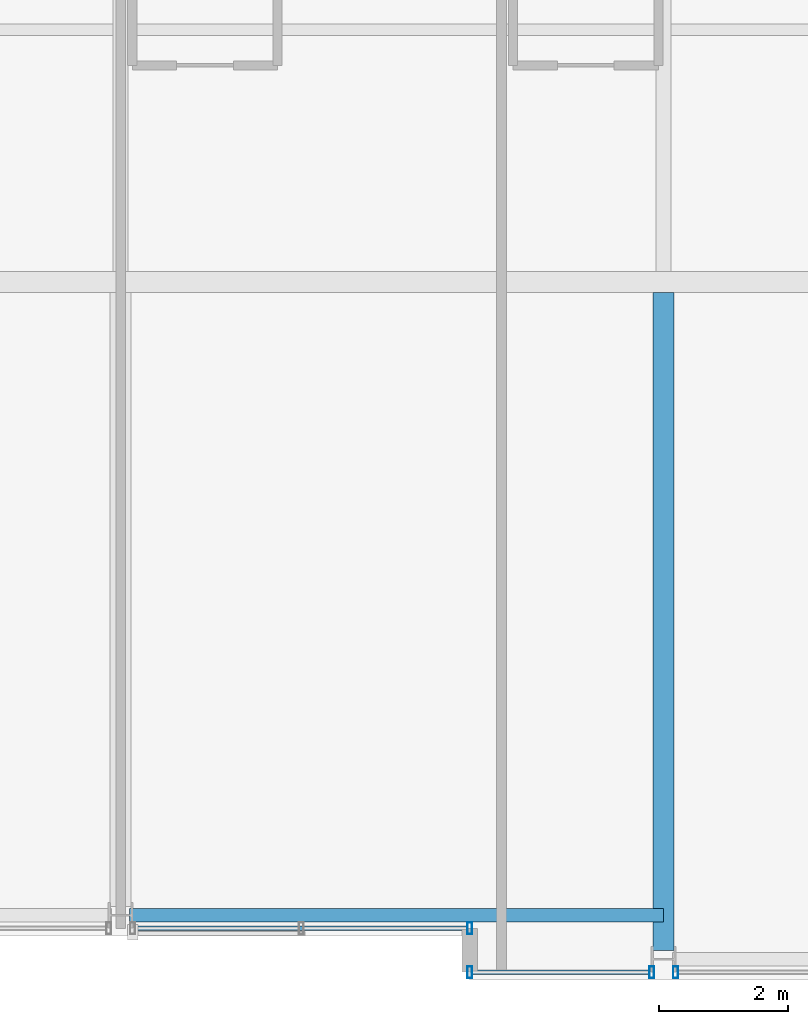
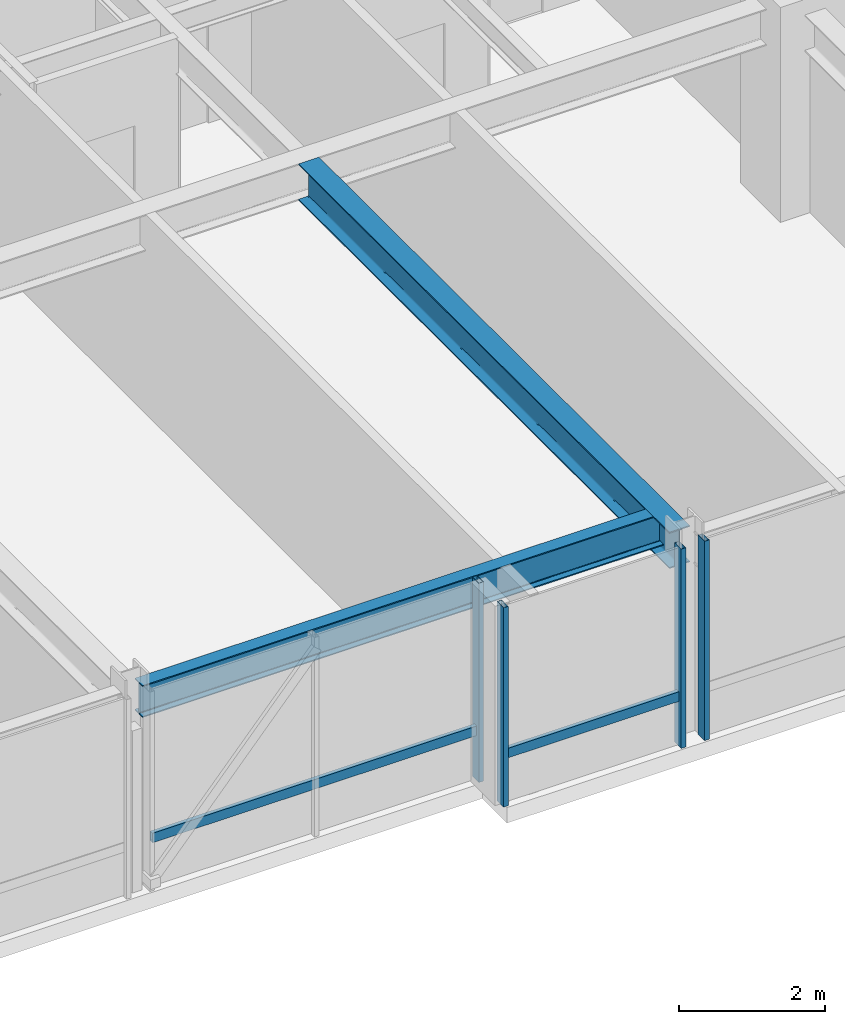
# One storey, part 6 of 33: 6 members, 2 beams, 3 elements without a shape of their own.
"""IFC4 building model written with IfcOpenShell, lengths in metres."""

from ifc_helpers import new_model, si_unit, direction, frame, origin, origin_2d, place, context, subcontext, project, spatial, hollow_rectangle, i_section, extrude, material, layer, layer_set, material_profile, profile_set, type_object, element, aggregate, save


model = new_model("IFC4")

# Units and contexts
model_context = context("Model", 3, precision=1e-05, world=origin(), true_north=direction((0.0, 1.0)))
body_context = subcontext(model_context, "Body", "Model", "MODEL_VIEW")
ifc_project = project(units=[si_unit("LENGTHUNIT", "METRE"), si_unit("AREAUNIT", "SQUARE_METRE"), si_unit("VOLUMEUNIT", "CUBIC_METRE"), si_unit("PLANEANGLEUNIT", "RADIAN"), si_unit("MASSUNIT", "GRAM", prefix="KILO")], contexts=[model_context])

# Site, building, storey
site_placement = place(None, origin())
site = spatial("IfcSite", under=ifc_project, at=site_placement, CompositionType="ELEMENT")
building_placement = place(site_placement, origin())
building = spatial("IfcBuilding", under=site, at=building_placement, Name="Drelvath Grand Hotel", CompositionType="ELEMENT")
storey_placement = place(building_placement, frame((0.0, 0.0, 212.300048828125)))
storey = spatial("IfcBuildingStorey", under=building, at=storey_placement, Name="L55", CompositionType="ELEMENT", Elevation=212.300048828125)

# Curtain wall, member
ifc_material_1 = material(Name="Platinum-Mist Anodised Aluminium Frame", Category="aluminium")
ifc_layer = layer(ifc_material_1, 0.199951171875)
ifc_layer_set = layer_set([ifc_layer], Name="Platinum-Mist Anodised Aluminium Frame")
curtain_wall_type = type_object("IfcCurtainWallType", Name="Stick Curtain Wall CW-05 Platinum Mist High-Rise", PredefinedType="NOTDEFINED", material=ifc_layer_set)
curtain_wall_1_placement = place(storey_placement, origin())
curtain_wall_1 = element("IfcCurtainWall", 1, at=curtain_wall_1_placement, inside=storey, type_object=curtain_wall_type, Name="L55 CW-05 Curtain Wall CW05-L55-SE1", PredefinedType="NOTDEFINED")
ifc_material_profile_1 = material_profile(ifc_material_1, hollow_rectangle(XDim=0.06494140625, YDim=0.159912109375, WallThickness=0.00390625, at=origin_2d()), Name="HSS160X65X4")
ifc_profile_set_1 = profile_set([ifc_material_profile_1], Name="Platinum-Mist Anodised Aluminium Frame")
member_type_1 = type_object("IfcMemberType", Name="Curtain Wall Horizontal Transom CW-05 HSS160X65X4", PredefinedType="USERDEFINED", material=ifc_profile_set_1)
member_1_placement = place(storey_placement, frame((8.1748046875, 0.1201171875, 0.8349609375), z_axis=(-1.0, 0.0, 0.0), x_axis=(0.0, -1.0, 0.0)))
member_1 = element("IfcMember", 2, at=member_1_placement, type_object=member_type_1, Name="CW05-L55-SE1 Sill Transom", ObjectType="TRANSOM", PredefinedType="USERDEFINED", context=body_context, shape_type="SweptSolid", body=[
    extrude(hollow_rectangle(XDim=0.06494140625, YDim=0.159912109375, WallThickness=0.00390625, at=origin_2d()), origin(), (0.0, 0.0, 1.0), 2.73486328125),
])

curtain_wall_2_placement = place(storey_placement, origin())
curtain_wall_2 = element("IfcCurtainWall", 3, at=curtain_wall_2_placement, inside=storey, type_object=curtain_wall_type, Name="L55 CW-05 Curtain Wall CW05-L55-SM2", PredefinedType="NOTDEFINED")
member_2_placement = place(storey_placement, frame((5.360107421875, 0.800048828125, 0.8349609375), z_axis=(-1.0, 0.0, 0.0), x_axis=(0.0, -1.0, 0.0)))
member_2 = element("IfcMember", 4, at=member_2_placement, type_object=member_type_1, Name="CW05-L55-SM2 Sill Transom", ObjectType="TRANSOM", PredefinedType="USERDEFINED", context=body_context, shape_type="SweptSolid", body=[
    extrude(hollow_rectangle(XDim=0.06494140625, YDim=0.159912109375, WallThickness=0.00390625, at=origin_2d()), origin(), (0.0, 0.0, 1.0), 5.134765625),
])

# Member
ifc_material_profile_2 = material_profile(ifc_material_1, hollow_rectangle(XDim=0.074951171875, YDim=0.179931640625, WallThickness=0.0048828125, at=origin_2d()), Name="HSS180X75X5")
ifc_profile_set_2 = profile_set([ifc_material_profile_2], Name="Platinum-Mist Anodised Aluminium Frame")
member_type_2 = type_object("IfcMemberType", Name="Curtain Wall Vertical Mullion CW-05 HSS180X75X5", PredefinedType="MULLION", material=ifc_profile_set_2)
member_3_placement = place(storey_placement, frame((8.214599609375, 0.1201171875, 0.0), z_axis=(0.0, 0.0, 1.0), x_axis=(1.0, 0.0, 0.0)))
member_3 = element("IfcMember", 5, at=member_3_placement, type_object=member_type_2, Name="CW05-L55-SE1 Mullion 1", PredefinedType="MULLION", context=body_context, shape_type="SweptSolid", body=[
    extrude(hollow_rectangle(XDim=0.074951171875, YDim=0.179931640625, WallThickness=0.0048828125, at=origin_2d()), origin(), (0.0, 0.0, 1.0), 3.33984375),
])

member_4_placement = place(storey_placement, frame((5.39990234375, 0.1201171875, 0.0), z_axis=(0.0, 0.0, 1.0), x_axis=(1.0, 0.0, 0.0)))
member_4 = element("IfcMember", 6, at=member_4_placement, type_object=member_type_2, Name="CW05-L55-SE1 Mullion 2", PredefinedType="MULLION", context=body_context, shape_type="SweptSolid", body=[
    extrude(hollow_rectangle(XDim=0.074951171875, YDim=0.179931640625, WallThickness=0.0048828125, at=origin_2d()), origin(), (0.0, 0.0, 1.0), 3.33984375),
])

aggregate(curtain_wall_1, [member_3, member_4, member_1])

# Curtain wall, member
curtain_wall_3_placement = place(storey_placement, origin())
curtain_wall_3 = element("IfcCurtainWall", 7, at=curtain_wall_3_placement, inside=storey, type_object=curtain_wall_type, Name="L55 CW-05 Curtain Wall CW05-L55-SE2", PredefinedType="NOTDEFINED")
member_5_placement = place(storey_placement, frame((8.585205078125, 0.1201171875, 0.0), z_axis=(0.0, 0.0, 1.0), x_axis=(1.0, 0.0, 0.0)))
member_5 = element("IfcMember", 8, at=member_5_placement, type_object=member_type_2, Name="CW05-L55-SE2 Mullion 3", PredefinedType="MULLION", context=body_context, shape_type="SweptSolid", body=[
    extrude(hollow_rectangle(XDim=0.074951171875, YDim=0.179931640625, WallThickness=0.0048828125, at=origin_2d()), origin(), (0.0, 0.0, 1.0), 3.33984375),
])
aggregate(curtain_wall_3, [member_5])

# Member
member_6_placement = place(storey_placement, frame((5.39990234375, 0.800048828125, 0.0), z_axis=(0.0, 0.0, 1.0), x_axis=(1.0, 0.0, 0.0)))
member_6 = element("IfcMember", 9, at=member_6_placement, type_object=member_type_2, Name="CW05-L55-SM2 Mullion 1", PredefinedType="MULLION", context=body_context, shape_type="SweptSolid", body=[
    extrude(hollow_rectangle(XDim=0.074951171875, YDim=0.179931640625, WallThickness=0.0048828125, at=origin_2d()), origin(), (0.0, 0.0, 1.0), 3.33984375),
])

aggregate(curtain_wall_2, [member_6, member_2])

# Beams
ifc_material_2 = material(Name="Steel ASTM A992 Gr 50", Category="steel")
ifc_material_profile_3 = material_profile(ifc_material_2, i_section(OverallWidth=0.210205078125, OverallDepth=0.53662109375, WebThickness=0.010986328125, FlangeThickness=0.017333984375, FilletRadius=0.01806640625, at=origin_2d()), Name="W21X68")
ifc_profile_set_3 = profile_set([ifc_material_profile_3], Name="Steel ASTM A992 Gr 50")
beam_type_1 = type_object("IfcBeamType", Name="Perimeter Spandrel Beam W21X68", PredefinedType="SPANDREL", material=ifc_profile_set_3)
beam_1_placement = place(storey_placement, frame((0.139892578125, 1.0, 3.071533203125), z_axis=(1.0, 0.0, 0.0), x_axis=(0.0, 1.0, 0.0)))
element("IfcBeam", 10, at=beam_1_placement, inside=storey, type_object=beam_type_1, Name="L55 Spandrel South Mid E", PredefinedType="SPANDREL", context=body_context, shape_type="SweptSolid", body=[
    extrude(i_section(OverallWidth=0.210205078125, OverallDepth=0.53662109375, WebThickness=0.010986328125, FlangeThickness=0.017333984375, FilletRadius=0.01806640625, at=origin_2d()), origin(), (0.0, 0.0, 1.0), 8.260009765625),
])
ifc_material_profile_4 = material_profile(ifc_material_2, i_section(OverallWidth=0.323974609375, OverallDepth=0.611083984375, WebThickness=0.0126953125, FlangeThickness=0.01904296875, FilletRadius=0.02197265625, at=origin_2d()), Name="W24X104")
ifc_profile_set_4 = profile_set([ifc_material_profile_4], Name="Steel ASTM A992 Gr 50")
beam_type_2 = type_object("IfcBeamType", Name="Primary Floor Girder W24X104", PredefinedType="BEAM", material=ifc_profile_set_4)
beam_2_placement = place(storey_placement, frame((8.39990234375, 0.4599609375, 3.034423828125), z_axis=(0.0, 1.0, 0.0), x_axis=(-1.0, 0.0, 0.0)))
element("IfcBeam", 11, at=beam_2_placement, inside=storey, type_object=beam_type_2, Name="L55 South Wing Girder 6", PredefinedType="BEAM", context=body_context, shape_type="SweptSolid", body=[
    extrude(i_section(OverallWidth=0.323974609375, OverallDepth=0.611083984375, WebThickness=0.0126953125, FlangeThickness=0.01904296875, FilletRadius=0.02197265625, at=origin_2d()), origin(), (0.0, 0.0, 1.0), 10.177978515625),
])

save(model, "model.ifc")
